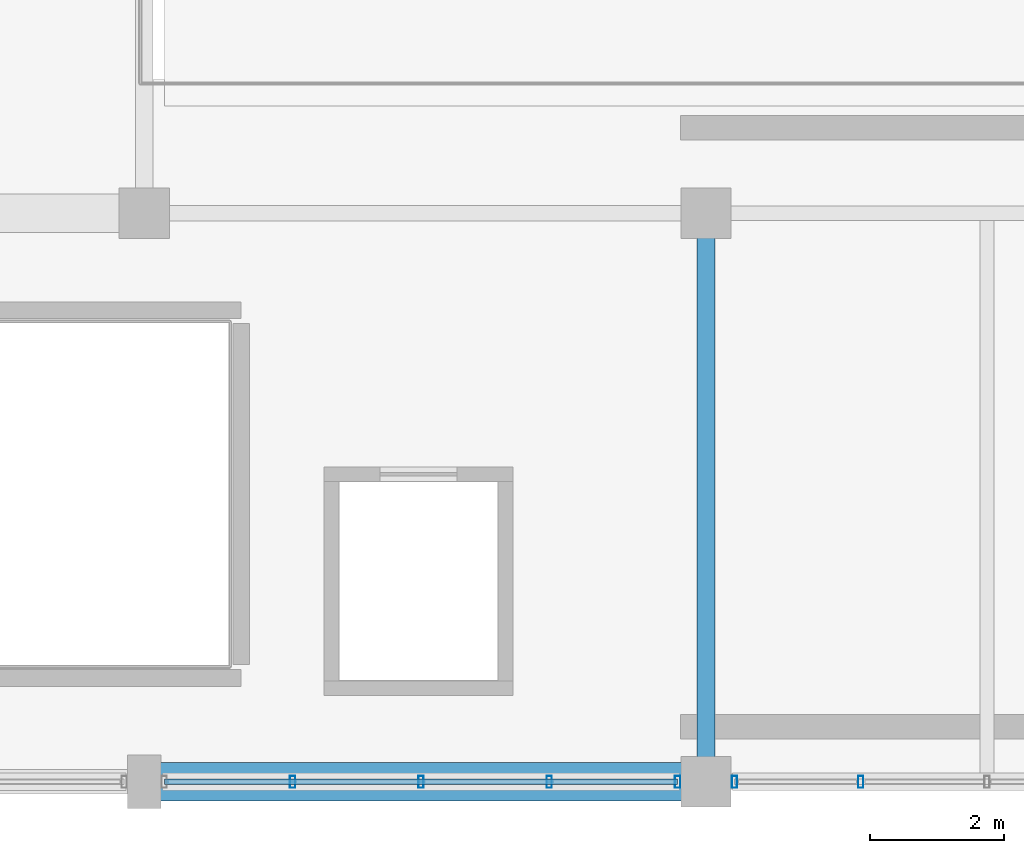
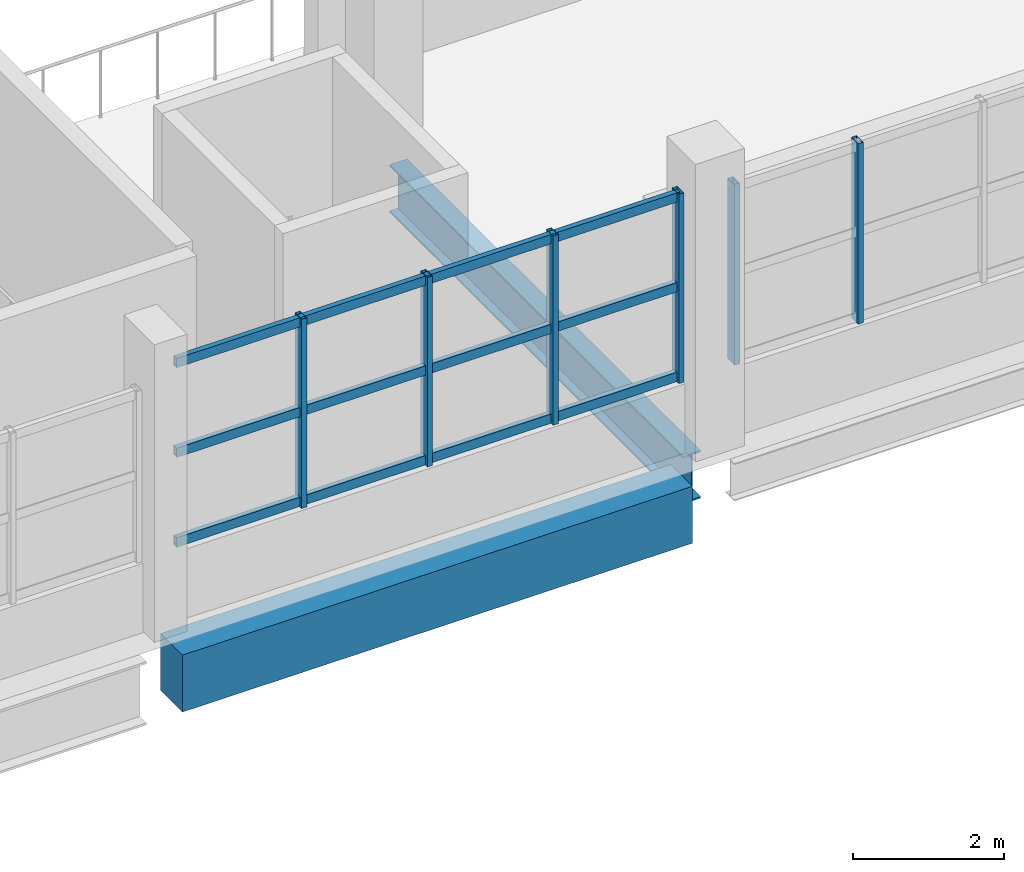
# One storey, part 29 of 77: 9 members, 2 beams, 2 elements without a shape of their own.
"""IFC4 building model written with IfcOpenShell, lengths in metres."""

from ifc_helpers import new_model, si_unit, direction, frame, origin, origin_2d, place, context, subcontext, project, spatial, rectangle, hollow_rectangle, i_section, extrude, material, material_profile, profile_set, type_object, element, aggregate, save


model = new_model("IFC4")

# Units and contexts
model_context = context("Model", 3, precision=1e-05, world=origin(), true_north=direction((0.0, 1.0)))
body_context = subcontext(model_context, "Body", "Model", "MODEL_VIEW")
ifc_project = project(units=[si_unit("LENGTHUNIT", "METRE"), si_unit("AREAUNIT", "SQUARE_METRE"), si_unit("VOLUMEUNIT", "CUBIC_METRE"), si_unit("PLANEANGLEUNIT", "RADIAN"), si_unit("MASSUNIT", "GRAM", prefix="KILO")], contexts=[model_context])

# Site, building, storey
site_placement = place(None, origin())
site = spatial("IfcSite", under=ifc_project, at=site_placement, CompositionType="ELEMENT")
building_placement = place(site_placement, origin())
building = spatial("IfcBuilding", under=site, at=building_placement, Name="Solvento Point Concert Hall", CompositionType="ELEMENT")
storey_placement = place(building_placement, frame((0.0, 0.0, 10.199951171875)))
storey = spatial("IfcBuildingStorey", under=building, at=storey_placement, Name="L02", CompositionType="ELEMENT", Elevation=10.199951171875)

# Beams
ifc_material_1 = material(Name="Concrete C35/45", Category="concrete")
ifc_material_profile_1 = material_profile(ifc_material_1, rectangle(XDim=0.580078125, YDim=0.919921875, at=origin_2d()), Name="RC-BM-580X920")
ifc_profile_set_1 = profile_set([ifc_material_profile_1], Name="Concrete C35/45")
beam_type_1 = type_object("IfcBeamType", Name="Girder_RC_580x920", PredefinedType="USERDEFINED", material=ifc_profile_set_1)
beam_1_placement = place(storey_placement, frame((158.64404296875, 0.0, -0.904052734375), z_axis=(1.0, 0.0, 0.0), x_axis=(0.0, 1.0, 0.0)))
element("IfcBeam", 1, at=beam_1_placement, inside=storey, type_object=beam_type_1, Name="Primary girder B-95 L02", ObjectType="GIRDER", PredefinedType="USERDEFINED", context=body_context, shape_type="SweptSolid", body=[
    extrude(rectangle(XDim=0.580078125, YDim=0.919921875, at=origin_2d()), origin(), (0.0, 0.0, 1.0), 7.786865234375),
])
ifc_material_2 = material(Name="Structural Steel ASTM A992 Grade 50", Category="steel")
ifc_material_profile_2 = material_profile(ifc_material_2, i_section(OverallWidth=0.26806640625, OverallDepth=0.77001953125, WebThickness=0.015625, FlangeThickness=0.025390625, at=origin_2d()), Name="W30X132")
ifc_profile_set_2 = profile_set([ifc_material_profile_2], Name="Structural Steel ASTM A992 Grade 50")
beam_type_2 = type_object("IfcBeamType", Name="Girder_W30X132", PredefinedType="USERDEFINED", material=ifc_profile_set_2)
beam_2_placement = place(storey_placement, frame((166.800048828125, 0.368896484375, -0.828857421875), z_axis=(0.0, 1.0, 0.0), x_axis=(-1.0, 0.0, 0.0)))
element("IfcBeam", 2, at=beam_2_placement, inside=storey, type_object=beam_type_2, Name="Primary girder B-68 L02", ObjectType="GIRDER", PredefinedType="USERDEFINED", context=body_context, shape_type="SweptSolid", body=[
    extrude(i_section(OverallWidth=0.26806640625, OverallDepth=0.77001953125, WebThickness=0.015625, FlangeThickness=0.025390625, at=origin_2d()), origin(), (0.0, 0.0, 1.0), 7.76220703125),
])

# Curtain wall, members
ifc_material_3 = material(Name="Anodized Bronze Aluminium", Category="aluminium")
curtain_wall_type = type_object("IfcCurtainWallType", Name="CurtainWall_ChamberCircle", PredefinedType="USERDEFINED", material=ifc_material_3)
curtain_wall_1_placement = place(storey_placement, origin())
curtain_wall_1 = element("IfcCurtainWall", 3, at=curtain_wall_1_placement, inside=storey, type_object=curtain_wall_type, Name="Unitised curtain wall CW-32 UCW-L02-156", ObjectType="UNITISED CURTAIN WALL", PredefinedType="USERDEFINED")
ifc_material_4 = material(Name="Anodized Bronze Aluminium", Category="aluminium")
ifc_material_profile_3 = material_profile(ifc_material_4, hollow_rectangle(XDim=0.080078125, YDim=0.179931640625, WallThickness=0.00390625, at=origin_2d()), Name="CW-MUL-80X180")
ifc_profile_set_3 = profile_set([ifc_material_profile_3], Name="Anodized Bronze Aluminium")
member_type_1 = type_object("IfcMemberType", Name="Mullion_80x180", PredefinedType="MULLION", material=ifc_profile_set_3)
member_1_placement = place(storey_placement, frame((160.61865234375, 0.0, 1.1201171875), z_axis=(0.0, 0.0, 1.0), x_axis=(1.0, 0.0, 0.0)))
member_1 = element("IfcMember", 4, at=member_1_placement, type_object=member_type_1, Name="Curtain wall mullion ML-01", PredefinedType="MULLION", context=body_context, shape_type="SweptSolid", body=[
    extrude(hollow_rectangle(XDim=0.080078125, YDim=0.179931640625, WallThickness=0.00390625, at=origin_2d()), origin(), (0.0, 0.0, 1.0), 3.055908203125),
])
member_2_placement = place(storey_placement, frame((162.53759765625, 0.0, 1.1201171875), z_axis=(0.0, 0.0, 1.0), x_axis=(1.0, 0.0, 0.0)))
member_2 = element("IfcMember", 5, at=member_2_placement, type_object=member_type_1, Name="Curtain wall mullion ML-01", PredefinedType="MULLION", context=body_context, shape_type="SweptSolid", body=[
    extrude(hollow_rectangle(XDim=0.080078125, YDim=0.179931640625, WallThickness=0.00390625, at=origin_2d()), origin(), (0.0, 0.0, 1.0), 3.055908203125),
])
member_3_placement = place(storey_placement, frame((164.456298828125, 0.0, 1.1201171875), z_axis=(0.0, 0.0, 1.0), x_axis=(1.0, 0.0, 0.0)))
member_3 = element("IfcMember", 6, at=member_3_placement, type_object=member_type_1, Name="Curtain wall mullion ML-01", PredefinedType="MULLION", context=body_context, shape_type="SweptSolid", body=[
    extrude(hollow_rectangle(XDim=0.080078125, YDim=0.179931640625, WallThickness=0.00390625, at=origin_2d()), origin(), (0.0, 0.0, 1.0), 3.055908203125),
])
member_4_placement = place(storey_placement, frame((166.375, 0.0, 1.1201171875), z_axis=(0.0, 0.0, 1.0), x_axis=(1.0, 0.0, 0.0)))
member_4 = element("IfcMember", 7, at=member_4_placement, type_object=member_type_1, Name="Curtain wall mullion ML-01", PredefinedType="MULLION", context=body_context, shape_type="SweptSolid", body=[
    extrude(hollow_rectangle(XDim=0.080078125, YDim=0.179931640625, WallThickness=0.00390625, at=origin_2d()), origin(), (0.0, 0.0, 1.0), 3.055908203125),
])

curtain_wall_2_placement = place(storey_placement, origin())
curtain_wall_2 = element("IfcCurtainWall", 8, at=curtain_wall_2_placement, inside=storey, type_object=curtain_wall_type, Name="Unitised curtain wall CW-32 UCW-L02-157", ObjectType="UNITISED CURTAIN WALL", PredefinedType="USERDEFINED")
member_5_placement = place(storey_placement, frame((167.22509765625, 0.0, 1.1201171875), z_axis=(0.0, 0.0, 1.0), x_axis=(1.0, 0.0, 0.0)))
member_5 = element("IfcMember", 9, at=member_5_placement, type_object=member_type_1, Name="Curtain wall mullion ML-01", PredefinedType="MULLION", context=body_context, shape_type="SweptSolid", body=[
    extrude(hollow_rectangle(XDim=0.080078125, YDim=0.179931640625, WallThickness=0.00390625, at=origin_2d()), origin(), (0.0, 0.0, 1.0), 2.913818359375),
])
member_6_placement = place(storey_placement, frame((169.112548828125, 0.0, 1.1201171875), z_axis=(0.0, 0.0, 1.0), x_axis=(1.0, 0.0, 0.0)))
member_6 = element("IfcMember", 10, at=member_6_placement, type_object=member_type_1, Name="Curtain wall mullion ML-01", PredefinedType="MULLION", context=body_context, shape_type="SweptSolid", body=[
    extrude(hollow_rectangle(XDim=0.080078125, YDim=0.179931640625, WallThickness=0.00390625, at=origin_2d()), origin(), (0.0, 0.0, 1.0), 2.913818359375),
])
aggregate(curtain_wall_2, [member_5, member_6])

# Member
ifc_material_5 = material(Name="Anodized Bronze Aluminium", Category="aluminium")
ifc_material_profile_4 = material_profile(ifc_material_5, hollow_rectangle(XDim=0.080078125, YDim=0.14990234375, WallThickness=0.00390625, at=origin_2d()), Name="CW-TRN-80X150")
ifc_profile_set_4 = profile_set([ifc_material_profile_4], Name="Anodized Bronze Aluminium")
member_type_2 = type_object("IfcMemberType", Name="Transom_80x150", PredefinedType="USERDEFINED", material=ifc_profile_set_4)
member_7_placement = place(storey_placement, frame((158.699951171875, 0.0, 1.199951171875), z_axis=(1.0, 0.0, 0.0), x_axis=(0.0, 1.0, 0.0)))
member_7 = element("IfcMember", 11, at=member_7_placement, type_object=member_type_2, Name="Curtain wall transom TR-01", ObjectType="TRANSOM", PredefinedType="USERDEFINED", context=body_context, shape_type="SweptSolid", body=[
    extrude(hollow_rectangle(XDim=0.080078125, YDim=0.14990234375, WallThickness=0.00390625, at=origin_2d()), origin(), (0.0, 0.0, 1.0), 7.675048828125),
])

member_8_placement = place(storey_placement, frame((158.699951171875, 0.0, 2.64794921875), z_axis=(1.0, 0.0, 0.0), x_axis=(0.0, 1.0, 0.0)))
member_8 = element("IfcMember", 12, at=member_8_placement, type_object=member_type_2, Name="Curtain wall transom TR-01", ObjectType="TRANSOM", PredefinedType="USERDEFINED", context=body_context, shape_type="SweptSolid", body=[
    extrude(hollow_rectangle(XDim=0.080078125, YDim=0.14990234375, WallThickness=0.00390625, at=origin_2d()), origin(), (0.0, 0.0, 1.0), 7.675048828125),
])

member_9_placement = place(storey_placement, frame((158.699951171875, 0.0, 4.095947265625), z_axis=(1.0, 0.0, 0.0), x_axis=(0.0, 1.0, 0.0)))
member_9 = element("IfcMember", 13, at=member_9_placement, type_object=member_type_2, Name="Curtain wall transom TR-01", ObjectType="TRANSOM", PredefinedType="USERDEFINED", context=body_context, shape_type="SweptSolid", body=[
    extrude(hollow_rectangle(XDim=0.080078125, YDim=0.14990234375, WallThickness=0.00390625, at=origin_2d()), origin(), (0.0, 0.0, 1.0), 7.675048828125),
])

aggregate(curtain_wall_1, [member_1, member_2, member_3, member_4, member_7, member_8, member_9])

save(model, "model.ifc")
